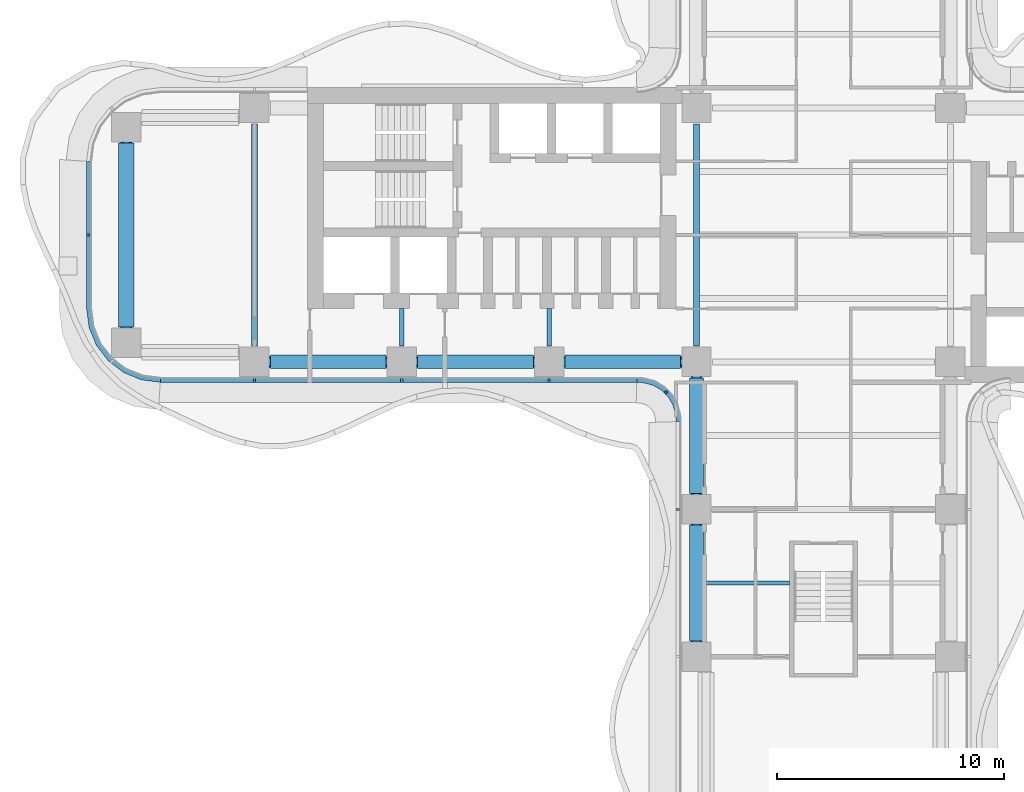
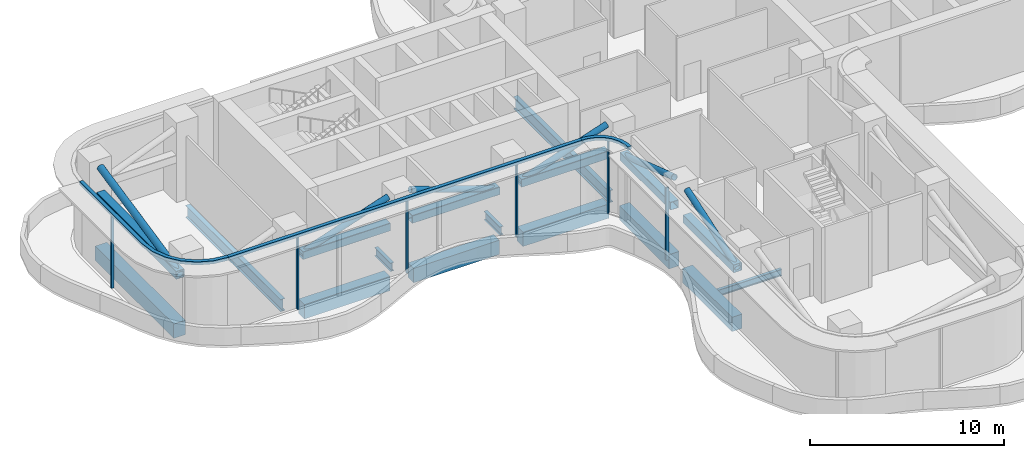
# One storey, part 3 of 20: 17 beams, 15 members, 4 elements without a shape of their own.
"""IFC4 building model written with IfcOpenShell, lengths in metres."""

from ifc_helpers import new_model, si_unit, direction, frame, origin, origin_2d, place, context, subcontext, project, spatial, polyline, rectangle, hollow_rectangle, hollow_circle, i_section, outline, extrude, source, transform, mapped, material, layer, layer_set, material_profile, profile_set, type_object, element, aggregate, save


model = new_model("IFC4")

# Units and contexts
model_context = context("Model", 3, precision=1e-05, world=origin(), true_north=direction((0.0, 1.0)))
body_context = subcontext(model_context, "Body", "Model", "MODEL_VIEW")
ifc_project = project(units=[si_unit("LENGTHUNIT", "METRE"), si_unit("AREAUNIT", "SQUARE_METRE"), si_unit("VOLUMEUNIT", "CUBIC_METRE"), si_unit("PLANEANGLEUNIT", "RADIAN"), si_unit("MASSUNIT", "GRAM", prefix="KILO")], contexts=[model_context])

# Site, building, storey
site_placement = place(None, origin())
site = spatial("IfcSite", under=ifc_project, at=site_placement, CompositionType="ELEMENT")
building_placement = place(site_placement, origin())
building = spatial("IfcBuilding", under=site, at=building_placement, Name="Trellis Farm Tower", CompositionType="ELEMENT")
storey_placement = place(building_placement, frame((0.0, 0.0, 92.5)))
storey = spatial("IfcBuildingStorey", under=building, at=storey_placement, Name="L19", CompositionType="ELEMENT", Elevation=92.5)

# Beams
ifc_material_1 = material(Name="Concrete C60/75", Category="concrete")
ifc_material_profile_1 = material_profile(ifc_material_1, rectangle(XDim=0.60009765625, YDim=0.89990234375, at=origin_2d()), Name="RC spandrel beam 600x900 C60/75")
ifc_profile_set_1 = profile_set([ifc_material_profile_1], Name="Concrete C60/75")
beam_type_1 = type_object("IfcBeamType", Name="RC spandrel beam 600x900 C60/75", PredefinedType="SPANDREL", material=ifc_profile_set_1)
shared_shape_1 = source(origin(), body_context, "Body", "SweptSolid", [
    extrude(rectangle(XDim=0.60009765625, YDim=0.89990234375, at=origin_2d()), origin(), (0.0, 0.0, 1.0), 5.099853515625),
])
for number, where, z_axis, x_axis, name in (
    (1, (-24.39990234375, -5.60009765625, -0.75), (1.0, 0.0, 0.0), (0.0, 1.0, 0.0), "Girder"),
    (2, (-17.89990234375, -5.60009765625, -0.75), (1.0, 0.0, 0.0), (0.0, 1.0, 0.0), "Girder"),
    (3, (-11.39990234375, -5.60009765625, -0.75), (1.0, 0.0, 0.0), (0.0, 1.0, 0.0), "Girder"),
    (4, (-5.60009765625, -17.89990234375, -0.75), (0.0, 1.0, 0.0), (-1.0, 0.0, 0.0), "Girder"),
    (5, (-5.60009765625, -11.39990234375, -0.75), (0.0, 1.0, 0.0), (-1.0, 0.0, 0.0), "Girder"),
):
    element("IfcBeam", number, at=place(storey_placement, frame(where, z_axis=z_axis, x_axis=x_axis)), inside=storey, type_object=beam_type_1, Name=name, PredefinedType="SPANDREL", context=body_context, shape_type="MappedRepresentation", body=[
        mapped(shared_shape_1, transform((0.0, 0.0, 0.0))),
    ])
ifc_material_2 = material(Name="Steel S355", Category="steel")
ifc_material_profile_2 = material_profile(ifc_material_2, i_section(OverallWidth=0.2666015625, OverallDepth=0.76220703125, WebThickness=0.014404296875, FlangeThickness=0.021484375, FilletRadius=0.0166015625, at=origin_2d()), Name="UB 762x267x173")
ifc_profile_set_2 = profile_set([ifc_material_profile_2], Name="Steel S355")
beam_type_2 = type_object("IfcBeamType", Name="UB 762x267x173", PredefinedType="BEAM", material=ifc_profile_set_2)
shared_shape_2 = source(origin(), body_context, "Body", "SweptSolid", [
    extrude(i_section(OverallWidth=0.2666015625, OverallDepth=0.76220703125, WebThickness=0.014404296875, FlangeThickness=0.021484375, FilletRadius=0.0166015625, at=origin_2d()), origin(), (0.0, 0.0, 1.0), 9.7998046875),
])
for number, where, z_axis, x_axis, name in (
    (6, (-25.10009765625, -4.89990234375, -0.68115234375), (0.0, 1.0, 0.0), (-1.0, 0.0, 0.0), "Girder"),
    (7, (-5.60009765625, -4.89990234375, -0.68115234375), (0.0, 1.0, 0.0), (-1.0, 0.0, 0.0), "Girder"),
):
    element("IfcBeam", number, at=place(storey_placement, frame(where, z_axis=z_axis, x_axis=x_axis)), inside=storey, type_object=beam_type_2, Name=name, PredefinedType="BEAM", context=body_context, shape_type="MappedRepresentation", body=[
        mapped(shared_shape_2, transform((0.0, 0.0, 0.0))),
    ])
ifc_material_profile_3 = material_profile(ifc_material_1, rectangle(XDim=0.699951171875, YDim=0.89990234375, at=origin_2d()), Name="RC spandrel beam 700x900 C60/75")
ifc_profile_set_3 = profile_set([ifc_material_profile_3], Name="Concrete C60/75")
beam_type_3 = type_object("IfcBeamType", Name="RC spandrel beam 700x900 C60/75", PredefinedType="SPANDREL", material=ifc_profile_set_3)
shared_shape_3 = source(origin(), body_context, "Body", "SweptSolid", [
    extrude(rectangle(XDim=0.699951171875, YDim=0.89990234375, at=origin_2d()), origin(), (0.0, 0.0, 1.0), 8.10009765625),
])
beam_1_placement = place(storey_placement, frame((-30.75, -4.050048828125, -0.75), z_axis=(0.0, 1.0, 0.0), x_axis=(-1.0, 0.0, 0.0)))
element("IfcBeam", 8, at=beam_1_placement, inside=storey, type_object=beam_type_3, Name="Girder", PredefinedType="SPANDREL", context=body_context, shape_type="MappedRepresentation", body=[
    mapped(shared_shape_3, transform((0.0, 0.0, 0.0))),
])
ifc_material_profile_4 = material_profile(ifc_material_2, i_section(OverallWidth=0.209228515625, OverallDepth=0.533203125, WebThickness=0.010009765625, FlangeThickness=0.015625, FilletRadius=0.0126953125, at=origin_2d()), Name="UB 533x210x92")
ifc_profile_set_4 = profile_set([ifc_material_profile_4], Name="Steel S355")
beam_type_4 = type_object("IfcBeamType", Name="UB 533x210x92", PredefinedType="BEAM", material=ifc_profile_set_4)
shared_shape_4 = source(origin(), body_context, "Body", "SweptSolid", [
    extrude(i_section(OverallWidth=0.209228515625, OverallDepth=0.533203125, WebThickness=0.010009765625, FlangeThickness=0.015625, FilletRadius=0.0126953125, at=origin_2d()), origin(), (0.0, 0.0, 1.0), 1.64990234375),
])
for number, where, z_axis, x_axis, name in (
    (9, (-18.60009765625, -4.89990234375, -0.56640625), (0.0, 1.0, 0.0), (-1.0, 0.0, 0.0), "Girder"),
    (10, (-12.10009765625, -4.89990234375, -0.56640625), (0.0, 1.0, 0.0), (-1.0, 0.0, 0.0), "Girder"),
):
    element("IfcBeam", number, at=place(storey_placement, frame(where, z_axis=z_axis, x_axis=x_axis)), inside=storey, type_object=beam_type_4, Name=name, PredefinedType="BEAM", context=body_context, shape_type="MappedRepresentation", body=[
        mapped(shared_shape_4, transform((0.0, 0.0, 0.0))),
    ])
ifc_material_profile_5 = material_profile(ifc_material_2, i_section(OverallWidth=0.177978515625, OverallDepth=0.406494140625, WebThickness=0.0078125, FlangeThickness=0.0126953125, FilletRadius=0.01025390625, at=origin_2d()), Name="UB 406x178x60")
ifc_profile_set_5 = profile_set([ifc_material_profile_5], Name="Steel S355")
beam_type_5 = type_object("IfcBeamType", Name="UB 406x178x60 joist", PredefinedType="JOIST", material=ifc_profile_set_5)
shared_shape_5 = source(origin(), body_context, "Body", "SweptSolid", [
    extrude(i_section(OverallWidth=0.177978515625, OverallDepth=0.406494140625, WebThickness=0.0078125, FlangeThickness=0.0126953125, FilletRadius=0.01025390625, at=origin_2d()), origin(), (0.0, 0.0, 1.0), 3.800048828125),
])
beam_2_placement = place(storey_placement, frame((-5.300048828125, -15.35009765625, -0.503173828125), z_axis=(1.0, 0.0, 0.0), x_axis=(0.0, 1.0, 0.0)))
element("IfcBeam", 11, at=beam_2_placement, inside=storey, type_object=beam_type_5, Name="Floor beam", PredefinedType="JOIST", context=body_context, shape_type="MappedRepresentation", body=[
    mapped(shared_shape_5, transform((0.0, 0.0, 0.0))),
])
ifc_material_profile_6 = material_profile(ifc_material_2, hollow_rectangle(XDim=0.5, YDim=0.5, WallThickness=0.02001953125, InnerFilletRadius=0.02001953125, OuterFilletRadius=0.030029296875, at=origin_2d()), Name="SHS 500x500x20")
ifc_profile_set_6 = profile_set([ifc_material_profile_6], Name="Steel S355")
beam_type_6 = type_object("IfcBeamType", Name="SHS 500x500x20", PredefinedType="BEAM", material=ifc_profile_set_6)
shared_shape_6 = source(origin(), body_context, "Body", "SweptSolid", [
    extrude(hollow_rectangle(XDim=0.5, YDim=0.5, WallThickness=0.02001953125, InnerFilletRadius=0.02001953125, OuterFilletRadius=0.030029296875, at=origin_2d()), origin(), (0.0, 0.0, 1.0), 5.199951171875),
])
for number, where, z_axis, x_axis, name in (
    (12, (-24.449951171875, -5.60009765625, 2.75), (1.0, 0.0, 0.0), (0.0, 1.0, 0.0), "Outrigger truss chord SHS 500x500x20"),
    (13, (-17.949951171875, -5.60009765625, 2.75), (1.0, 0.0, 0.0), (0.0, 1.0, 0.0), "Outrigger truss chord SHS 500x500x20"),
    (14, (-11.449951171875, -5.60009765625, 2.75), (1.0, 0.0, 0.0), (0.0, 1.0, 0.0), "Outrigger truss chord SHS 500x500x20"),
    (15, (-5.60009765625, -17.949951171875, 2.75), (0.0, 1.0, 0.0), (-1.0, 0.0, 0.0), "Outrigger truss chord SHS 500x500x20"),
    (16, (-5.60009765625, -11.449951171875, 2.75), (0.0, 1.0, 0.0), (-1.0, 0.0, 0.0), "Outrigger truss chord SHS 500x500x20"),
):
    element("IfcBeam", number, at=place(storey_placement, frame(where, z_axis=z_axis, x_axis=x_axis)), inside=storey, type_object=beam_type_6, Name=name, PredefinedType="BEAM", context=body_context, shape_type="MappedRepresentation", body=[
        mapped(shared_shape_6, transform((0.0, 0.0, 0.0))),
    ])
shared_shape_7 = source(origin(), body_context, "Body", "SweptSolid", [
    extrude(hollow_rectangle(XDim=0.5, YDim=0.5, WallThickness=0.02001953125, InnerFilletRadius=0.02001953125, OuterFilletRadius=0.030029296875, at=origin_2d()), origin(), (0.0, 0.0, 1.0), 8.2001953125),
])
beam_3_placement = place(storey_placement, frame((-30.75, -4.10009765625, 2.75), z_axis=(0.0, 1.0, 0.0), x_axis=(-1.0, 0.0, 0.0)))
element("IfcBeam", 17, at=beam_3_placement, inside=storey, type_object=beam_type_6, Name="Belt truss chord SHS 500x500x20", PredefinedType="BEAM", context=body_context, shape_type="MappedRepresentation", body=[
    mapped(shared_shape_7, transform((0.0, 0.0, 0.0))),
])

# Members
ifc_material_profile_7 = material_profile(ifc_material_2, hollow_circle(Radius=0.177734375, WallThickness=0.01611328125, at=origin_2d()), Name="CHS 355.6x16")
ifc_profile_set_7 = profile_set([ifc_material_profile_7], Name="Steel S355")
member_type_1 = type_object("IfcMemberType", Name="CHS 355.6x16 brace", PredefinedType="BRACE", material=ifc_profile_set_7)
shared_shape_8 = source(origin(), body_context, "Body", "SweptSolid", [
    extrude(hollow_circle(Radius=0.177734375, WallThickness=0.01611328125, at=origin_2d()), origin(), (0.0, 0.0, 1.0), 5.486572265625),
])
for number, where, z_axis, x_axis, name in (
    (18, (-24.449951171875, -5.60009765625, 2.75), (0.947767137813, 0.0, 0.318963089528), (0.0, 1.0, 0.0), "Outrigger truss diagonal CHS 355.6x16"),
    (19, (-12.75, -5.60009765625, 2.75), (-0.947767137813, 0.0, 0.318963089528), (0.0, -1.0, 0.0), "Outrigger truss diagonal CHS 355.6x16"),
    (20, (-11.449951171875, -5.60009765625, 2.75), (0.947767137813, 0.0, 0.318963089528), (0.0, 1.0, 0.0), "Outrigger truss diagonal CHS 355.6x16"),
    (21, (-5.60009765625, -17.949951171875, 2.75), (0.0, 0.947767137813, 0.318963089528), (-1.0, 0.0, 0.0), "Outrigger truss diagonal CHS 355.6x16"),
    (22, (-5.60009765625, -6.25, 2.75), (0.0, -0.947767137813, 0.318963089528), (1.0, 0.0, 0.0), "Outrigger truss diagonal CHS 355.6x16"),
):
    element("IfcMember", number, at=place(storey_placement, frame(where, z_axis=z_axis, x_axis=x_axis)), inside=storey, type_object=member_type_1, Name=name, PredefinedType="BRACE", context=body_context, shape_type="MappedRepresentation", body=[
        mapped(shared_shape_8, transform((0.0, 0.0, 0.0))),
    ])
ifc_material_profile_8 = material_profile(ifc_material_2, hollow_circle(Radius=0.203125, WallThickness=0.01611328125, at=origin_2d()), Name="CHS 406.4x16")
ifc_profile_set_8 = profile_set([ifc_material_profile_8], Name="Steel S355")
member_type_2 = type_object("IfcMemberType", Name="CHS 406.4x16 brace", PredefinedType="BRACE", material=ifc_profile_set_8)
shared_shape_9 = source(origin(), body_context, "Body", "SweptSolid", [
    extrude(hollow_circle(Radius=0.203125, WallThickness=0.01611328125, at=origin_2d()), origin(), (0.0, 0.0, 1.0), 8.384765625),
])
member_1_placement = place(storey_placement, frame((-30.75, -4.10009765625, 2.75), z_axis=(0.0, 0.97797762433, 0.208709765726), x_axis=(-1.0, 0.0, 0.0)))
element("IfcMember", 23, at=member_1_placement, inside=storey, type_object=member_type_2, Name="Belt truss diagonal CHS 406.4x16", PredefinedType="BRACE", context=body_context, shape_type="MappedRepresentation", body=[
    mapped(shared_shape_9, transform((0.0, 0.0, 0.0))),
])

# Curtain wall, members
ifc_material_3 = material(Name="Aluminium and glass curtain wall", Category="aluminium")
ifc_layer_1 = layer(ifc_material_3, 0.196044921875)
ifc_layer_set_1 = layer_set([ifc_layer_1], Name="LOUVRED GLASS CURTAIN WALL CW6")
curtain_wall_type = type_object("IfcCurtainWallType", Name="LOUVRED GLASS CURTAIN WALL CW6", PredefinedType="NOTDEFINED", material=ifc_layer_set_1)
placement_1 = place(storey_placement, origin())
curtain_wall_1 = element("IfcCurtainWall", 24, at=placement_1, inside=storey, type_object=curtain_wall_type, Name="CW6 001", PredefinedType="NOTDEFINED")
ifc_material_4 = material(Name="Aluminium extrusion 6063-T6", Category="aluminium")
ifc_material_profile_9 = material_profile(ifc_material_4, rectangle(XDim=0.090087890625, YDim=0.159912109375, at=origin_2d()), Name="MULLION 90x160")
ifc_profile_set_9 = profile_set([ifc_material_profile_9], Name="Aluminium extrusion 6063-T6")
member_type_3 = type_object("IfcMemberType", Name="CW6 MULLION 90x160", PredefinedType="MULLION", material=ifc_profile_set_9)
shared_shape_10 = source(origin(), body_context, "Body", "SweptSolid", [
    extrude(rectangle(XDim=0.090087890625, YDim=0.159912109375, at=origin_2d()), origin(), (0.0, 0.0, 1.0), 4.550048828125),
])
member_2_placement = place(storey_placement, frame((-25.10009765625, -6.419921875, 0.0), z_axis=(0.0, 0.0, 1.0), x_axis=(1.0, 0.0, 0.0)))
member_2 = element("IfcMember", 25, at=member_2_placement, type_object=member_type_3, Name="MU6 001-01", PredefinedType="MULLION", context=body_context, shape_type="MappedRepresentation", body=[
    mapped(shared_shape_10, transform((0.0, 0.0, 0.0))),
])
member_3_placement = place(storey_placement, frame((-18.60009765625, -6.419921875, 0.0), z_axis=(0.0, 0.0, 1.0), x_axis=(1.0, 0.0, 0.0)))
member_3 = element("IfcMember", 26, at=member_3_placement, type_object=member_type_3, Name="MU6 001-02", PredefinedType="MULLION", context=body_context, shape_type="MappedRepresentation", body=[
    mapped(shared_shape_10, transform((0.0, 0.0, 0.0))),
])
member_4_placement = place(storey_placement, frame((-12.10009765625, -6.419921875, 0.0), z_axis=(0.0, 0.0, 1.0), x_axis=(1.0, 0.0, 0.0)))
member_4 = element("IfcMember", 27, at=member_4_placement, type_object=member_type_3, Name="MU6 001-03", PredefinedType="MULLION", context=body_context, shape_type="MappedRepresentation", body=[
    mapped(shared_shape_10, transform((0.0, 0.0, 0.0))),
])

# Curtain wall, member
curtain_wall_2 = element("IfcCurtainWall", 28, at=placement_1, inside=storey, type_object=curtain_wall_type, Name="CW6 002", PredefinedType="NOTDEFINED")
member_5_placement = place(storey_placement, frame((-6.93896484375, -6.93896484375, 0.0), z_axis=(0.0, 0.0, 1.0), x_axis=(0.707106781187, -0.707106781187, 0.0)))
member_5 = element("IfcMember", 29, at=member_5_placement, type_object=member_type_3, Name="MU6 002-01", PredefinedType="MULLION", context=body_context, shape_type="MappedRepresentation", body=[
    mapped(shared_shape_10, transform((0.0, 0.0, 0.0))),
])

curtain_wall_3 = element("IfcCurtainWall", 30, at=placement_1, inside=storey, type_object=curtain_wall_type, Name="CW6 003", PredefinedType="NOTDEFINED")
member_6_placement = place(storey_placement, frame((-6.419921875, -12.10009765625, 0.0), z_axis=(0.0, 0.0, 1.0), x_axis=(0.0, -1.0, 0.0)))
member_6 = element("IfcMember", 31, at=member_6_placement, type_object=member_type_3, Name="MU6 003-01", PredefinedType="MULLION", context=body_context, shape_type="MappedRepresentation", body=[
    mapped(shared_shape_10, transform((0.0, 0.0, 0.0))),
])
aggregate(curtain_wall_3, [member_6])

curtain_wall_4 = element("IfcCurtainWall", 32, at=placement_1, inside=storey, type_object=curtain_wall_type, Name="CW6 016", PredefinedType="NOTDEFINED")
member_7_placement = place(storey_placement, frame((-32.419921875, 0.0, 0.0), z_axis=(0.0, 0.0, 1.0), x_axis=(0.0, -1.0, 0.0)))
member_7 = element("IfcMember", 33, at=member_7_placement, type_object=member_type_3, Name="MU6 016-01", PredefinedType="MULLION", context=body_context, shape_type="MappedRepresentation", body=[
    mapped(shared_shape_10, transform((0.0, 0.0, 0.0))),
])

# Member
ifc_layer_2 = layer(ifc_material_4, 0.2099609375)
ifc_layer_set_2 = layer_set([ifc_layer_2], Name="Aluminium extrusion 6063-T6")
member_type_4 = type_object("IfcMemberType", Name="CW6 TRANSOM 210x200", PredefinedType="USERDEFINED", material=ifc_layer_set_2)
shared_shape_11 = source(origin(), body_context, "Body", "SweptSolid", [
    extrude(outline(polyline([(-29.25, -6.5), (-8.2314453125, -6.5), (-8.224609375, -6.2900390625), (-29.236328125, -6.2900390625), (-29.25, -6.5)])), origin(), (0.0, 0.0, 1.0), 0.199951171875),
])
placement_2 = place(storey_placement, frame((0.0, 0.0, 4.550048828125)))
member_8 = element("IfcMember", 34, at=placement_2, type_object=member_type_4, Name="TR6 001", ObjectType="TRANSOM", PredefinedType="USERDEFINED", context=body_context, shape_type="MappedRepresentation", body=[
    mapped(shared_shape_11, transform((0.0, 0.0, 0.0))),
])

aggregate(curtain_wall_1, [member_2, member_3, member_4, member_8])

shared_shape_12 = source(origin(), body_context, "Body", "SweptSolid", [
    extrude(outline(polyline([(-8.2314453125, -6.5), (-8.01953125, -6.513916015625), (-7.91552734375, -6.527587890625), (-7.508544921875, -6.63671875), (-7.144287109375, -6.846923828125), (-6.846923828125, -7.144287109375), (-6.63671875, -7.508544921875), (-6.527587890625, -7.91552734375), (-6.513916015625, -8.01953125), (-6.5, -8.2314453125), (-6.2900390625, -8.224609375), (-6.3046875, -7.9990234375), (-6.321044921875, -7.87451171875), (-6.44091796875, -7.427490234375), (-6.678955078125, -7.015380859375), (-7.015380859375, -6.678955078125), (-7.427490234375, -6.44091796875), (-7.87451171875, -6.321044921875), (-7.9990234375, -6.3046875), (-8.224609375, -6.2900390625), (-8.2314453125, -6.5)])), origin(), (0.0, 0.0, 1.0), 0.199951171875),
])
member_9 = element("IfcMember", 35, at=placement_2, type_object=member_type_4, Name="TR6 002", ObjectType="TRANSOM", PredefinedType="USERDEFINED", context=body_context, shape_type="MappedRepresentation", body=[
    mapped(shared_shape_12, transform((0.0, 0.0, 0.0))),
])

aggregate(curtain_wall_2, [member_5, member_9])

shared_shape_13 = source(origin(), body_context, "Body", "SweptSolid", [
    extrude(outline(polyline([(-32.5, 3.25), (-32.5, -3.25), (-32.38916015625, -4.091064453125), (-32.064697265625, -4.875), (-31.548095703125, -5.548095703125), (-30.875, -6.064697265625), (-30.091064453125, -6.38916015625), (-29.25, -6.5), (-29.236328125, -6.2900390625), (-30.036376953125, -6.1845703125), (-30.76904296875, -5.881103515625), (-31.3984375, -5.3984375), (-31.881103515625, -4.76904296875), (-32.1845703125, -4.036376953125), (-32.2900390625, -3.236328125), (-32.2900390625, 3.236328125), (-32.5, 3.25)])), origin(), (0.0, 0.0, 1.0), 0.199951171875),
])
member_10 = element("IfcMember", 36, at=placement_2, type_object=member_type_4, Name="TR6 016", ObjectType="TRANSOM", PredefinedType="USERDEFINED", context=body_context, shape_type="MappedRepresentation", body=[
    mapped(shared_shape_13, transform((0.0, 0.0, 0.0))),
])

aggregate(curtain_wall_4, [member_7, member_10])

save(model, "model.ifc")
